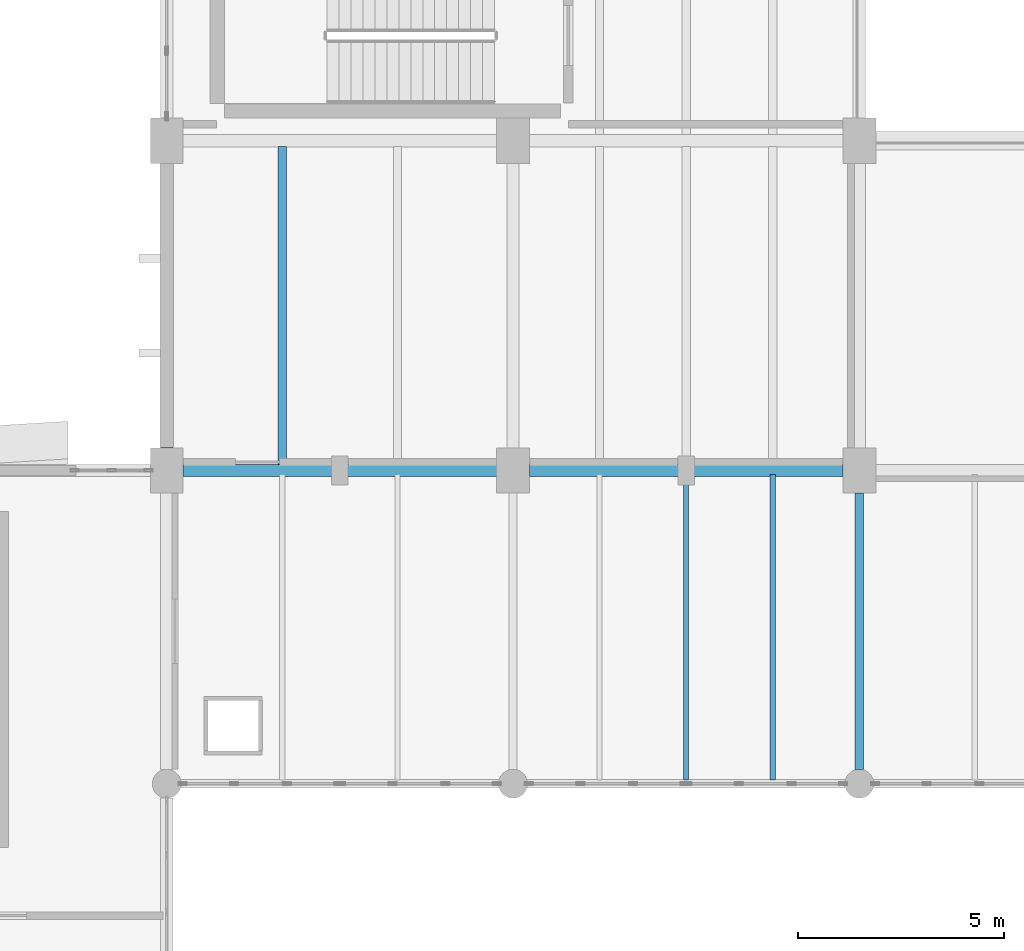
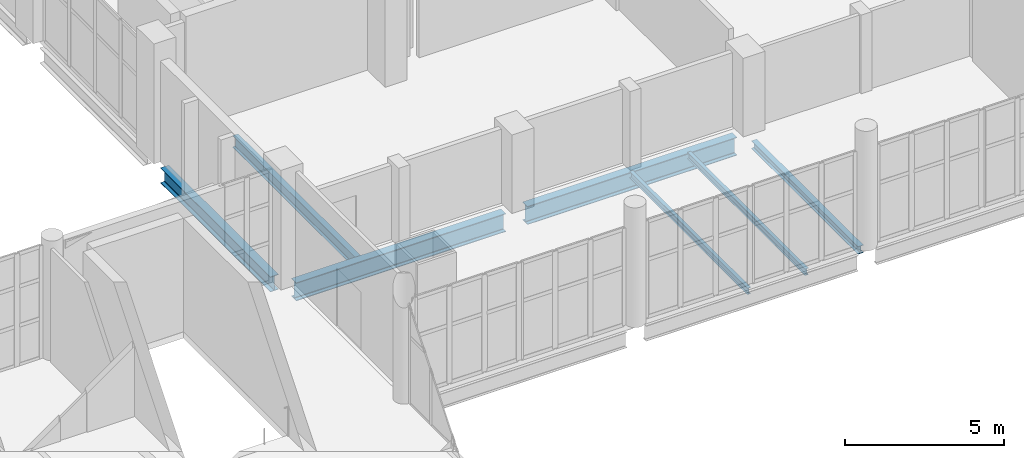
# One storey, part 31 of 74: 7 beams.
"""IFC4 building model written with IfcOpenShell, lengths in metres."""

from ifc_helpers import new_model, si_unit, direction, frame, origin, origin_2d, place, context, subcontext, project, spatial, i_section, extrude, material, material_profile, profile_set, type_object, element, save


model = new_model("IFC4")

# Units and contexts
model_context = context("Model", 3, precision=1e-05, world=origin(), true_north=direction((0.0, 1.0)))
body_context = subcontext(model_context, "Body", "Model", "MODEL_VIEW")
ifc_project = project(units=[si_unit("LENGTHUNIT", "METRE"), si_unit("AREAUNIT", "SQUARE_METRE"), si_unit("VOLUMEUNIT", "CUBIC_METRE"), si_unit("PLANEANGLEUNIT", "RADIAN"), si_unit("MASSUNIT", "GRAM", prefix="KILO")], contexts=[model_context])

# Site, building, storey
site_placement = place(None, origin())
site = spatial("IfcSite", under=ifc_project, at=site_placement, CompositionType="ELEMENT")
building_placement = place(site_placement, origin())
building = spatial("IfcBuilding", under=site, at=building_placement, Name="Shengluoqiao Park Theatre", CompositionType="ELEMENT")
storey_placement = place(building_placement, frame((0.0, 0.0, 14.60009765625)))
storey = spatial("IfcBuildingStorey", under=building, at=storey_placement, Name="L03", CompositionType="ELEMENT", Elevation=14.60009765625)

# Beams
ifc_material_1 = material(Name="Steel Q355", Category="steel")
ifc_material_profile_1 = material_profile(ifc_material_1, i_section(OverallWidth=0.199951171875, OverallDepth=0.2939453125, WebThickness=0.008056640625, FlangeThickness=0.011962890625, FilletRadius=0.01611328125, at=origin_2d()), Name="HM 294x200x8x12")
ifc_profile_set_1 = profile_set([ifc_material_profile_1], Name="Steel Q355")
beam_type_1 = type_object("IfcBeamType", Name="STR-BM-G-HM294", PredefinedType="BEAM", material=ifc_profile_set_1)
beam_1_placement = place(storey_placement, frame((61.199951171875, 68.743896484375, -0.397216796875), z_axis=(0.0, 1.0, 0.0), x_axis=(-1.0, 0.0, 0.0)))
element("IfcBeam", 1, at=beam_1_placement, inside=storey, type_object=beam_type_1, Name="L03 Transverse Girder 01359", PredefinedType="BEAM", context=body_context, shape_type="SweptSolid", body=[
    extrude(i_section(OverallWidth=0.199951171875, OverallDepth=0.2939453125, WebThickness=0.008056640625, FlangeThickness=0.011962890625, FilletRadius=0.01611328125, at=origin_2d()), origin(), (0.0, 0.0, 1.0), 6.712158203125),
])
ifc_material_profile_2 = material_profile(ifc_material_1, i_section(OverallWidth=0.300048828125, OverallDepth=0.587890625, WebThickness=0.011962890625, FlangeThickness=0.02001953125, FilletRadius=0.02392578125, at=origin_2d()), Name="HM 588x300x12x20")
ifc_profile_set_2 = profile_set([ifc_material_profile_2], Name="Steel Q355")
beam_type_2 = type_object("IfcBeamType", Name="STR-BM-G-HM588", PredefinedType="BEAM", material=ifc_profile_set_2)
beam_2_placement = place(storey_placement, frame((44.39990234375, 76.5439453125, -0.5341796875), z_axis=(0.0, 1.0, 0.0), x_axis=(-1.0, 0.0, 0.0)))
element("IfcBeam", 2, at=beam_2_placement, inside=storey, type_object=beam_type_2, Name="L03 Transverse Girder 01214", PredefinedType="BEAM", context=body_context, shape_type="SweptSolid", body=[
    extrude(i_section(OverallWidth=0.300048828125, OverallDepth=0.587890625, WebThickness=0.011962890625, FlangeThickness=0.02001953125, FilletRadius=0.02392578125, at=origin_2d()), origin(), (0.0, 0.0, 1.0), 6.912109375),
])
ifc_material_2 = material(Name="Steel Q390", Category="steel")
ifc_material_profile_3 = material_profile(ifc_material_2, i_section(OverallWidth=0.300048828125, OverallDepth=0.699951171875, WebThickness=0.012939453125, FlangeThickness=0.02392578125, FilletRadius=0.02392578125, at=origin_2d()), Name="HN 700x300x13x24")
ifc_profile_set_3 = profile_set([ifc_material_profile_3], Name="Steel Q390")
beam_type_3 = type_object("IfcBeamType", Name="STR-BM-G-HN700", PredefinedType="BEAM", material=ifc_profile_set_3)
beam_3_placement = place(storey_placement, frame((44.7939453125, 76.0, -0.590087890625), z_axis=(1.0, 0.0, 0.0), x_axis=(0.0, 1.0, 0.0)))
element("IfcBeam", 3, at=beam_3_placement, inside=storey, type_object=beam_type_3, Name="L03 Primary Girder 01203", PredefinedType="BEAM", context=body_context, shape_type="SweptSolid", body=[
    extrude(i_section(OverallWidth=0.300048828125, OverallDepth=0.699951171875, WebThickness=0.012939453125, FlangeThickness=0.02392578125, FilletRadius=0.02392578125, at=origin_2d()), origin(), (0.0, 0.0, 1.0), 7.612060546875),
])
beam_4_placement = place(storey_placement, frame((53.194091796875, 76.0, -0.60009765625), z_axis=(1.0, 0.0, 0.0), x_axis=(0.0, 1.0, 0.0)))
element("IfcBeam", 4, at=beam_4_placement, inside=storey, type_object=beam_type_3, Name="L03 Primary Girder 01204", PredefinedType="BEAM", context=body_context, shape_type="SweptSolid", body=[
    extrude(i_section(OverallWidth=0.300048828125, OverallDepth=0.699951171875, WebThickness=0.012939453125, FlangeThickness=0.02392578125, FilletRadius=0.02392578125, at=origin_2d()), origin(), (0.0, 0.0, 1.0), 7.61181640625),
])
ifc_material_profile_4 = material_profile(ifc_material_1, i_section(OverallWidth=0.125, OverallDepth=0.25, WebThickness=0.006103515625, FlangeThickness=0.009033203125, FilletRadius=0.010009765625, at=origin_2d()), Name="HN 250x125x6x9")
ifc_profile_set_4 = profile_set([ifc_material_profile_4], Name="Steel Q355")
beam_type_4 = type_object("IfcBeamType", Name="STR-BM-J-HN250", PredefinedType="JOIST", material=ifc_profile_set_4)
for number, where, z_axis, x_axis, name in (
    (5, (57.0, 68.494384765625, -0.364990234375), (0.0, 1.0, 0.0), (-1.0, 0.0, 0.0), "L03 Composite Joist 01365"),
    (6, (59.10009765625, 68.494384765625, -0.364990234375), (0.0, 1.0, 0.0), (-1.0, 0.0, 0.0), "L03 Composite Joist 01366"),
):
    element("IfcBeam", number, at=place(storey_placement, frame(where, z_axis=z_axis, x_axis=x_axis)), inside=storey, type_object=beam_type_4, Name=name, PredefinedType="JOIST", context=body_context, shape_type="SweptSolid", body=[
        extrude(i_section(OverallWidth=0.125, OverallDepth=0.25, WebThickness=0.006103515625, FlangeThickness=0.009033203125, FilletRadius=0.010009765625, at=origin_2d()), origin(), (0.0, 0.0, 1.0), 7.4111328125),
    ])
ifc_material_profile_5 = material_profile(ifc_material_1, i_section(OverallWidth=0.199951171875, OverallDepth=0.449951171875, WebThickness=0.009033203125, FlangeThickness=0.013916015625, FilletRadius=0.01611328125, at=origin_2d()), Name="HN 450x200x9x14")
ifc_profile_set_5 = profile_set([ifc_material_profile_5], Name="Steel Q355")
beam_type_5 = type_object("IfcBeamType", Name="STR-BM-J-HN450", PredefinedType="JOIST", material=ifc_profile_set_5)
beam_5_placement = place(storey_placement, frame((47.199951171875, 76.14501953125, -0.465087890625), z_axis=(0.0, 1.0, 0.0), x_axis=(-1.0, 0.0, 0.0)))
element("IfcBeam", 7, at=beam_5_placement, inside=storey, type_object=beam_type_5, Name="L03 Composite Joist 01227", PredefinedType="JOIST", context=body_context, shape_type="SweptSolid", body=[
    extrude(i_section(OverallWidth=0.199951171875, OverallDepth=0.449951171875, WebThickness=0.009033203125, FlangeThickness=0.013916015625, FilletRadius=0.01611328125, at=origin_2d()), origin(), (0.0, 0.0, 1.0), 7.7099609375),
])

save(model, "model.ifc")
